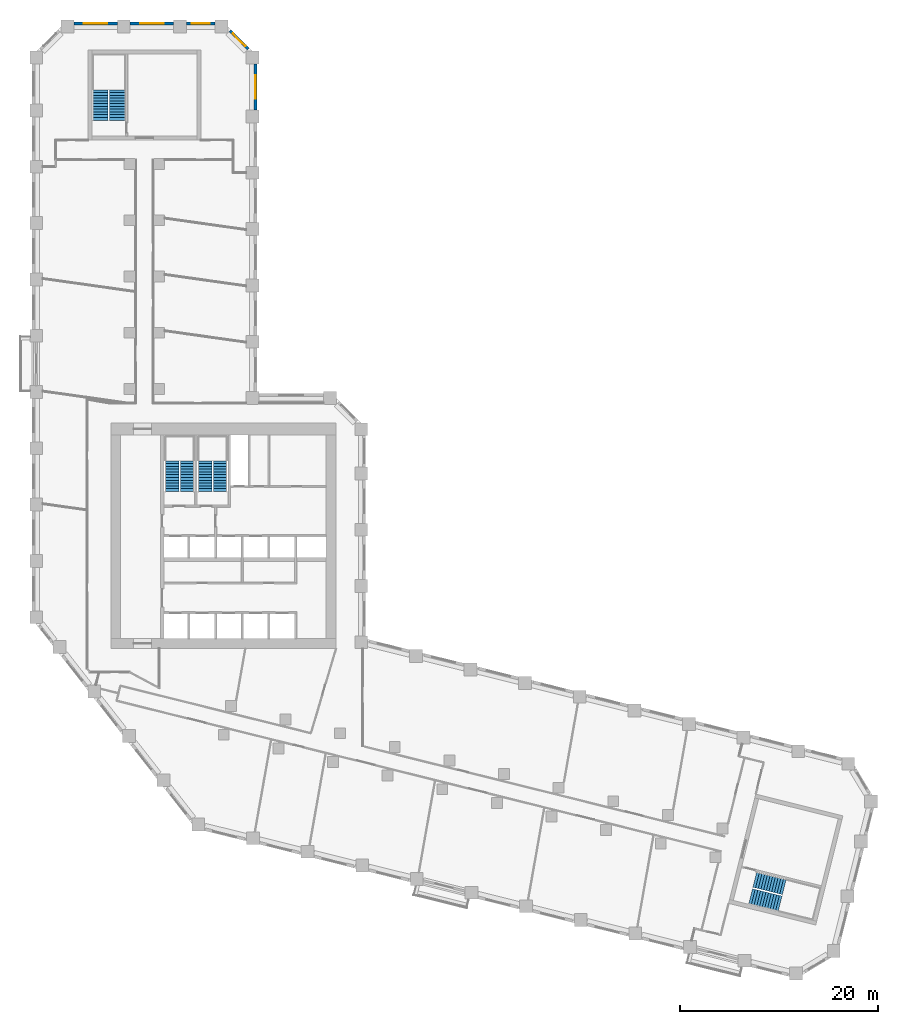
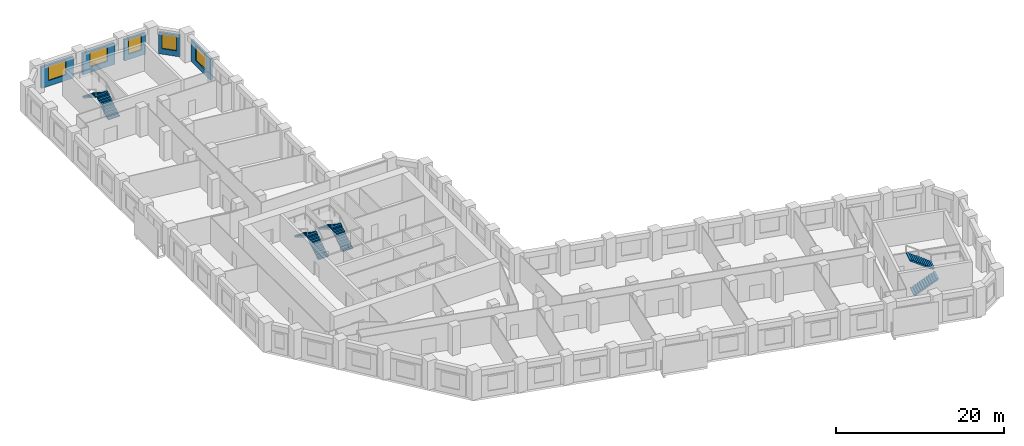
# One storey, part 9 of 10: 8 stair flights, 5 walls, 5 windows, 5 openings, 4 elements without a shape of their own.
"""IFC4 building model written with IfcOpenShell, lengths in metres."""

from ifc_helpers import new_model, si_unit, direction, frame, frame_2d, origin, place, context, subcontext, project, spatial, polyline, rectangle, outline, extrude, material, layer, layer_set, type_object, element, fill, aggregate, save


model = new_model("IFC4")

# Units and contexts
model_context = context("Model", 3, precision=1e-05, world=origin(), true_north=direction((0.0, 1.0)))
body_context = subcontext(model_context, "Body", "Model", "MODEL_VIEW")
ifc_project = project(units=[si_unit("LENGTHUNIT", "METRE"), si_unit("AREAUNIT", "SQUARE_METRE"), si_unit("VOLUMEUNIT", "CUBIC_METRE"), si_unit("PLANEANGLEUNIT", "RADIAN"), si_unit("MASSUNIT", "GRAM", prefix="KILO")], contexts=[model_context])

# Site, building, storey
site_placement = place(None, origin())
site = spatial("IfcSite", under=ifc_project, at=site_placement, CompositionType="ELEMENT")
building_placement = place(site_placement, origin())
building = spatial("IfcBuilding", under=site, at=building_placement, Name="Meshkara Civic Tower", CompositionType="ELEMENT")
storey_placement = place(building_placement, frame((0.0, 0.0, 118.199951171875)))
storey = spatial("IfcBuildingStorey", under=building, at=storey_placement, Name="L26", CompositionType="ELEMENT", Elevation=118.199951171875)

# Wall, opening, window
ifc_material_1 = material(Name="Insulated infill panel with bronze anodised aluminium cladding", Category="aluminium")
ifc_layer = layer(ifc_material_1, 0.300048828125)
ifc_layer_set = layer_set([ifc_layer], Name="EXTERNAL INFILL WALL 300")
wall_type = type_object("IfcWallType", Name="EXTERNAL INFILL WALL 300", PredefinedType="SOLIDWALL", material=ifc_layer_set)
wall_1_placement = place(storey_placement, frame((22.64990234375, 68.60009765625, 0.0), z_axis=(0.0, 0.0, 1.0), x_axis=(0.0, 1.0, 0.0)))
wall_1 = element("IfcWall", 1, at=wall_1_placement, inside=storey, type_object=wall_type, Name="External wall", PredefinedType="SOLIDWALL", context=body_context, shape_type="SweptSolid", body=[
    extrude(rectangle(XDim=4.663818359375, YDim=0.300048828125, at=frame_2d((2.33203125, 0.0))), origin(), (0.0, 0.0, 1.0), 3.10009765625),
])
opening_1_placement = place(wall_1_placement, frame((1.132080078125, 0.0, 0.800048828125)))
opening_1 = element("IfcOpeningElement", 2, at=opening_1_placement, cuts=wall_1, Name="Opening W7", PredefinedType="OPENING", context=body_context, shape_type="SweptSolid", body=[
    extrude(rectangle(XDim=2.39990234375, YDim=2.10009765625, at=frame_2d((1.199951171875, 1.050048828125))), frame((0.0, 0.159912109375, 0.0), z_axis=(0.0, -1.0, 0.0), x_axis=(1.0, 0.0, 0.0)), (0.0, 0.0, 1.0), 0.320068359375),
])
ifc_material_2 = material(Name="Tinted double glazing", Category="glass")
window_type_1 = type_object("IfcWindowType", Name="WINDOW 2400x2100", PartitioningType="DOUBLE_PANEL_VERTICAL", PredefinedType="WINDOW", material=ifc_material_2)
window_1_placement = place(opening_1_placement, origin())
window_1 = element("IfcWindow", 3, at=window_1_placement, inside=storey, type_object=window_type_1, Name="Window", OverallHeight=2.10009765625, OverallWidth=2.39990234375, PartitioningType="DOUBLE_PANEL_VERTICAL", PredefinedType="WINDOW", context=body_context, shape_type="SweptSolid", body=[
    extrude(rectangle(XDim=2.39990234375, YDim=2.10009765625, at=frame_2d((1.199951171875, 1.050048828125))), frame((0.0, 0.030029296875, 0.0), z_axis=(0.0, -1.0, 0.0), x_axis=(1.0, 0.0, 0.0)), (0.0, 0.0, 1.0), 0.06005859375),
])
fill(opening_1, window_1)

wall_2_placement = place(storey_placement, frame((21.912109375, 74.77587890625, 0.0), z_axis=(0.0, 0.0, 1.0), x_axis=(-0.707106781187, 0.707106781187, 0.0)))
wall_2 = element("IfcWall", 4, at=wall_2_placement, inside=storey, type_object=wall_type, Name="External wall", PredefinedType="SOLIDWALL", context=body_context, shape_type="SweptSolid", body=[
    extrude(rectangle(XDim=2.625, YDim=0.300048828125, at=frame_2d((1.3125, 0.0))), origin(), (0.0, 0.0, 1.0), 3.10009765625),
])
opening_2_placement = place(wall_2_placement, frame((0.412109375, 0.0, 0.800048828125)))
opening_2 = element("IfcOpeningElement", 5, at=opening_2_placement, cuts=wall_2, Name="Opening W9", PredefinedType="OPENING", context=body_context, shape_type="SweptSolid", body=[
    extrude(rectangle(XDim=1.800048828125, YDim=2.10009765625, at=frame_2d((0.89990234375, 1.050048828125))), frame((0.0, 0.159912109375, 0.0), z_axis=(0.0, -1.0, 0.0), x_axis=(1.0, 0.0, 0.0)), (0.0, 0.0, 1.0), 0.320068359375),
])
ifc_material_3 = material(Name="Tinted double glazing", Category="glass")
window_type_2 = type_object("IfcWindowType", Name="WINDOW 1800x2100", PartitioningType="DOUBLE_PANEL_VERTICAL", PredefinedType="WINDOW", material=ifc_material_3)
window_2_placement = place(opening_2_placement, origin())
window_2 = element("IfcWindow", 6, at=window_2_placement, inside=storey, type_object=window_type_2, Name="Window", OverallHeight=2.10009765625, OverallWidth=1.800048828125, PartitioningType="DOUBLE_PANEL_VERTICAL", PredefinedType="WINDOW", context=body_context, shape_type="SweptSolid", body=[
    extrude(rectangle(XDim=1.800048828125, YDim=2.10009765625, at=frame_2d((0.89990234375, 1.050048828125))), frame((0.0, 0.030029296875, 0.0), z_axis=(0.0, -1.0, 0.0), x_axis=(1.0, 0.0, 0.0)), (0.0, 0.0, 1.0), 0.06005859375),
])
fill(opening_2, window_2)

wall_3_placement = place(storey_placement, frame((18.5439453125, 77.3701171875, 0.0), z_axis=(0.0, 0.0, 1.0), x_axis=(-1.0, 0.0, 0.0)))
wall_3 = element("IfcWall", 7, at=wall_3_placement, inside=storey, type_object=wall_type, Name="External wall", PredefinedType="SOLIDWALL", context=body_context, shape_type="SweptSolid", body=[
    extrude(rectangle(XDim=2.887939453125, YDim=0.300048828125, at=frame_2d((1.44384765625, 0.0))), origin(), (0.0, 0.0, 1.0), 3.10009765625),
])
opening_3_placement = place(wall_3_placement, frame((0.5439453125, 0.0, 0.800048828125)))
opening_3 = element("IfcOpeningElement", 8, at=opening_3_placement, cuts=wall_3, Name="Opening W9", PredefinedType="OPENING", context=body_context, shape_type="SweptSolid", body=[
    extrude(rectangle(XDim=1.800048828125, YDim=2.10009765625, at=frame_2d((0.89990234375, 1.050048828125))), frame((0.0, 0.159912109375, 0.0), z_axis=(0.0, -1.0, 0.0), x_axis=(1.0, 0.0, 0.0)), (0.0, 0.0, 1.0), 0.320068359375),
])
window_3_placement = place(opening_3_placement, origin())
window_3 = element("IfcWindow", 9, at=window_3_placement, inside=storey, type_object=window_type_2, Name="Window", OverallHeight=2.10009765625, OverallWidth=1.800048828125, PartitioningType="DOUBLE_PANEL_VERTICAL", PredefinedType="WINDOW", context=body_context, shape_type="SweptSolid", body=[
    extrude(rectangle(XDim=1.800048828125, YDim=2.10009765625, at=frame_2d((0.89990234375, 1.050048828125))), frame((0.0, 0.030029296875, 0.0), z_axis=(0.0, -1.0, 0.0), x_axis=(1.0, 0.0, 0.0)), (0.0, 0.0, 1.0), 0.06005859375),
])
fill(opening_3, window_3)

wall_4_placement = place(storey_placement, frame((14.35595703125, 77.3701171875, 0.0), z_axis=(0.0, 0.0, 1.0), x_axis=(-1.0, 0.0, 0.0)))
wall_4 = element("IfcWall", 10, at=wall_4_placement, inside=storey, type_object=wall_type, Name="External wall", PredefinedType="SOLIDWALL", context=body_context, shape_type="SweptSolid", body=[
    extrude(rectangle(XDim=4.39990234375, YDim=0.300048828125, at=frame_2d((2.199951171875, 0.0))), origin(), (0.0, 0.0, 1.0), 3.10009765625),
])
opening_4_placement = place(wall_4_placement, frame((1.0, 0.0, 0.800048828125)))
opening_4 = element("IfcOpeningElement", 11, at=opening_4_placement, cuts=wall_4, Name="Opening W7", PredefinedType="OPENING", context=body_context, shape_type="SweptSolid", body=[
    extrude(rectangle(XDim=2.39990234375, YDim=2.10009765625, at=frame_2d((1.199951171875, 1.050048828125))), frame((0.0, 0.159912109375, 0.0), z_axis=(0.0, -1.0, 0.0), x_axis=(1.0, 0.0, 0.0)), (0.0, 0.0, 1.0), 0.320068359375),
])
window_4_placement = place(opening_4_placement, origin())
window_4 = element("IfcWindow", 12, at=window_4_placement, inside=storey, type_object=window_type_1, Name="Window", OverallHeight=2.10009765625, OverallWidth=2.39990234375, PartitioningType="DOUBLE_PANEL_VERTICAL", PredefinedType="WINDOW", context=body_context, shape_type="SweptSolid", body=[
    extrude(rectangle(XDim=2.39990234375, YDim=2.10009765625, at=frame_2d((1.199951171875, 1.050048828125))), frame((0.0, 0.030029296875, 0.0), z_axis=(0.0, -1.0, 0.0), x_axis=(1.0, 0.0, 0.0)), (0.0, 0.0, 1.0), 0.06005859375),
])
fill(opening_4, window_4)

wall_5_placement = place(storey_placement, frame((8.656005859375, 77.3701171875, 0.0), z_axis=(0.0, 0.0, 1.0), x_axis=(-1.0, 0.0, 0.0)))
wall_5 = element("IfcWall", 13, at=wall_5_placement, inside=storey, type_object=wall_type, Name="External wall", PredefinedType="SOLIDWALL", context=body_context, shape_type="SweptSolid", body=[
    extrude(rectangle(XDim=4.39990234375, YDim=0.300048828125, at=frame_2d((2.199951171875, 0.0))), origin(), (0.0, 0.0, 1.0), 3.10009765625),
])
opening_5_placement = place(wall_5_placement, frame((1.0, 0.0, 0.800048828125)))
opening_5 = element("IfcOpeningElement", 14, at=opening_5_placement, cuts=wall_5, Name="Opening W7", PredefinedType="OPENING", context=body_context, shape_type="SweptSolid", body=[
    extrude(rectangle(XDim=2.39990234375, YDim=2.10009765625, at=frame_2d((1.199951171875, 1.050048828125))), frame((0.0, 0.159912109375, 0.0), z_axis=(0.0, -1.0, 0.0), x_axis=(1.0, 0.0, 0.0)), (0.0, 0.0, 1.0), 0.320068359375),
])
window_5_placement = place(opening_5_placement, origin())
window_5 = element("IfcWindow", 15, at=window_5_placement, inside=storey, type_object=window_type_1, Name="Window", OverallHeight=2.10009765625, OverallWidth=2.39990234375, PartitioningType="DOUBLE_PANEL_VERTICAL", PredefinedType="WINDOW", context=body_context, shape_type="SweptSolid", body=[
    extrude(rectangle(XDim=2.39990234375, YDim=2.10009765625, at=frame_2d((1.199951171875, 1.050048828125))), frame((0.0, 0.030029296875, 0.0), z_axis=(0.0, -1.0, 0.0), x_axis=(1.0, 0.0, 0.0)), (0.0, 0.0, 1.0), 0.06005859375),
])
fill(opening_5, window_5)

# Stair, stair flights
ifc_material_4 = material(Name="Precast concrete C40/50", Category="concrete")
stair_type_1 = type_object("IfcStairType", Name="Exit stair half-turn 24 risers 1600 precast", PredefinedType="HALF_TURN_STAIR", material=ifc_material_4)
stair_1_placement = place(storey_placement, origin())
stair_1 = element("IfcStair", 16, at=stair_1_placement, inside=storey, type_object=stair_type_1, Name="L26 exit stair A from L20", PredefinedType="HALF_TURN_STAIR")
ifc_material_5 = material(Name="Precast concrete C40/50", Category="concrete")
stair_flight_type_1 = type_object("IfcStairFlightType", Name="Exit stair flight 12 risers 1600 precast", PredefinedType="STRAIGHT", material=ifc_material_5)
stair_flight_1_placement = place(storey_placement, frame((8.675048828125, 67.570068359375, 0.0), z_axis=(0.0, 0.0, 1.0), x_axis=(0.0, 1.0, 0.0)))
stair_flight_1 = element("IfcStairFlight", 17, at=stair_flight_1_placement, type_object=stair_flight_type_1, Name="ESA2 flight 1", NumberOfRisers=12, NumberOfTreads=11, PredefinedType="STRAIGHT", RiserHeight=0.175, TreadLength=0.28, context=body_context, shape_type="SweptSolid", body=[
    extrude(outline(polyline([(0.0, 0.0), (0.0, 0.175048828125), (0.280029296875, 0.175048828125), (0.280029296875, 0.35009765625), (0.56005859375, 0.35009765625), (0.56005859375, 0.52490234375), (0.840087890625, 0.52490234375), (0.840087890625, 0.699951171875), (1.1201171875, 0.699951171875), (1.1201171875, 0.875), (1.39990234375, 0.875), (1.39990234375, 1.050048828125), (1.679931640625, 1.050048828125), (1.679931640625, 1.22509765625), (1.9599609375, 1.22509765625), (1.9599609375, 1.39990234375), (2.239990234375, 1.39990234375), (2.239990234375, 1.574951171875), (2.52001953125, 1.574951171875), (2.52001953125, 1.75), (2.800048828125, 1.75), (2.800048828125, 1.925048828125), (3.080078125, 1.925048828125), (3.080078125, 2.10009765625), (3.080078125, 1.748291015625), (0.28271484375, 0.0), (0.0, 0.0)])), frame((0.0, 0.800048828125, 0.0), z_axis=(0.0, -1.0, 0.0), x_axis=(1.0, 0.0, 0.0)), (0.0, 0.0, 1.0), 1.60009765625),
])
stair_flight_2_placement = place(storey_placement, frame((6.925048828125, 70.64990234375, 2.10009765625), z_axis=(0.0, 0.0, 1.0), x_axis=(0.0, -1.0, 0.0)))
stair_flight_2 = element("IfcStairFlight", 18, at=stair_flight_2_placement, type_object=stair_flight_type_1, Name="ESA2 flight 2", NumberOfRisers=12, NumberOfTreads=11, PredefinedType="STRAIGHT", RiserHeight=0.175, TreadLength=0.28, context=body_context, shape_type="SweptSolid", body=[
    extrude(outline(polyline([(0.0, 0.0), (0.0, 0.175048828125), (0.280029296875, 0.175048828125), (0.280029296875, 0.35009765625), (0.56005859375, 0.35009765625), (0.56005859375, 0.52490234375), (0.840087890625, 0.52490234375), (0.840087890625, 0.699951171875), (1.1201171875, 0.699951171875), (1.1201171875, 0.875), (1.39990234375, 0.875), (1.39990234375, 1.050048828125), (1.679931640625, 1.050048828125), (1.679931640625, 1.22509765625), (1.9599609375, 1.22509765625), (1.9599609375, 1.39990234375), (2.239990234375, 1.39990234375), (2.239990234375, 1.574951171875), (2.52001953125, 1.574951171875), (2.52001953125, 1.75), (2.800048828125, 1.75), (2.800048828125, 1.925048828125), (3.080078125, 1.925048828125), (3.080078125, 2.10009765625), (3.080078125, 1.748291015625), (0.28271484375, 0.0), (0.0, 0.0)])), frame((0.0, 0.800048828125, 0.0), z_axis=(0.0, -1.0, 0.0), x_axis=(1.0, 0.0, 0.0)), (0.0, 0.0, 1.0), 1.60009765625),
])
aggregate(stair_1, [stair_flight_1, stair_flight_2])

stair_2_placement = place(storey_placement, origin())
stair_2 = element("IfcStair", 19, at=stair_2_placement, inside=storey, type_object=stair_type_1, Name="L26 exit stair B from L20", PredefinedType="HALF_TURN_STAIR")
stair_flight_3_placement = place(storey_placement, frame((72.7685546875, -11.00634765625, 0.0), z_axis=(0.0, 0.0, 1.0), x_axis=(0.970260066579, -0.242064873955, 0.0)))
stair_flight_3 = element("IfcStairFlight", 20, at=stair_flight_3_placement, type_object=stair_flight_type_1, Name="ESB2 flight 1", NumberOfRisers=12, NumberOfTreads=11, PredefinedType="STRAIGHT", RiserHeight=0.175, TreadLength=0.28, context=body_context, shape_type="SweptSolid", body=[
    extrude(outline(polyline([(0.0, 0.0), (0.0, 0.175048828125), (0.280029296875, 0.175048828125), (0.280029296875, 0.35009765625), (0.56005859375, 0.35009765625), (0.56005859375, 0.52490234375), (0.840087890625, 0.52490234375), (0.840087890625, 0.699951171875), (1.1201171875, 0.699951171875), (1.1201171875, 0.875), (1.39990234375, 0.875), (1.39990234375, 1.050048828125), (1.679931640625, 1.050048828125), (1.679931640625, 1.22509765625), (1.9599609375, 1.22509765625), (1.9599609375, 1.39990234375), (2.239990234375, 1.39990234375), (2.239990234375, 1.574951171875), (2.52001953125, 1.574951171875), (2.52001953125, 1.75), (2.800048828125, 1.75), (2.800048828125, 1.925048828125), (3.080078125, 1.925048828125), (3.080078125, 2.10009765625), (3.080078125, 1.748291015625), (0.28271484375, 0.0), (0.0, 0.0)])), frame((0.0, 0.800048828125, 0.0), z_axis=(0.0, -1.0, 0.0), x_axis=(1.0, 0.0, 0.0)), (0.0, 0.0, 1.0), 1.60009765625),
])
stair_flight_4_placement = place(storey_placement, frame((76.1806640625, -10.053955078125, 2.10009765625), z_axis=(0.0, 0.0, 1.0), x_axis=(-0.970260066579, 0.242064873955, 0.0)))
stair_flight_4 = element("IfcStairFlight", 21, at=stair_flight_4_placement, type_object=stair_flight_type_1, Name="ESB2 flight 2", NumberOfRisers=12, NumberOfTreads=11, PredefinedType="STRAIGHT", RiserHeight=0.175, TreadLength=0.28, context=body_context, shape_type="SweptSolid", body=[
    extrude(outline(polyline([(0.0, 0.0), (0.0, 0.175048828125), (0.280029296875, 0.175048828125), (0.280029296875, 0.35009765625), (0.56005859375, 0.35009765625), (0.56005859375, 0.52490234375), (0.840087890625, 0.52490234375), (0.840087890625, 0.699951171875), (1.1201171875, 0.699951171875), (1.1201171875, 0.875), (1.39990234375, 0.875), (1.39990234375, 1.050048828125), (1.679931640625, 1.050048828125), (1.679931640625, 1.22509765625), (1.9599609375, 1.22509765625), (1.9599609375, 1.39990234375), (2.239990234375, 1.39990234375), (2.239990234375, 1.574951171875), (2.52001953125, 1.574951171875), (2.52001953125, 1.75), (2.800048828125, 1.75), (2.800048828125, 1.925048828125), (3.080078125, 1.925048828125), (3.080078125, 2.10009765625), (3.080078125, 1.748291015625), (0.28271484375, 0.0), (0.0, 0.0)])), frame((0.0, 0.800048828125, 0.0), z_axis=(0.0, -1.0, 0.0), x_axis=(1.0, 0.0, 0.0)), (0.0, 0.0, 1.0), 1.60009765625),
])
aggregate(stair_2, [stair_flight_3, stair_flight_4])

ifc_material_6 = material(Name="Precast concrete C40/50", Category="concrete")
stair_type_2 = type_object("IfcStairType", Name="Exit stair half-turn 24 risers precast", PredefinedType="HALF_TURN_STAIR", material=ifc_material_6)
stair_3_placement = place(storey_placement, origin())
stair_3 = element("IfcStair", 22, at=stair_3_placement, inside=storey, type_object=stair_type_2, Name="L26 exit stair 1", PredefinedType="HALF_TURN_STAIR")
ifc_material_7 = material(Name="Precast concrete C40/50", Category="concrete")
stair_flight_type_2 = type_object("IfcStairFlightType", Name="Exit stair flight 12 risers precast", PredefinedType="STRAIGHT", material=ifc_material_7)
stair_flight_5_placement = place(storey_placement, frame((15.72509765625, 30.0, 0.0), z_axis=(0.0, 0.0, 1.0), x_axis=(0.0, 1.0, 0.0)))
stair_flight_5 = element("IfcStairFlight", 23, at=stair_flight_5_placement, type_object=stair_flight_type_2, Name="ST1 flight 1", NumberOfRisers=12, NumberOfTreads=11, PredefinedType="STRAIGHT", RiserHeight=0.175, TreadLength=0.28, context=body_context, shape_type="SweptSolid", body=[
    extrude(outline(polyline([(0.0, 0.0), (0.0, 0.175048828125), (0.280029296875, 0.175048828125), (0.280029296875, 0.35009765625), (0.56005859375, 0.35009765625), (0.56005859375, 0.52490234375), (0.840087890625, 0.52490234375), (0.840087890625, 0.699951171875), (1.1201171875, 0.699951171875), (1.1201171875, 0.875), (1.39990234375, 0.875), (1.39990234375, 1.050048828125), (1.679931640625, 1.050048828125), (1.679931640625, 1.22509765625), (1.9599609375, 1.22509765625), (1.9599609375, 1.39990234375), (2.239990234375, 1.39990234375), (2.239990234375, 1.574951171875), (2.52001953125, 1.574951171875), (2.52001953125, 1.75), (2.800048828125, 1.75), (2.800048828125, 1.925048828125), (3.080078125, 1.925048828125), (3.080078125, 2.10009765625), (3.080078125, 1.748291015625), (0.28271484375, 0.0), (0.0, 0.0)])), frame((0.0, 0.699951171875, 0.0), z_axis=(0.0, -1.0, 0.0), x_axis=(1.0, 0.0, 0.0)), (0.0, 0.0, 1.0), 1.39990234375),
])
stair_flight_6_placement = place(storey_placement, frame((14.175048828125, 33.080078125, 2.10009765625), z_axis=(0.0, 0.0, 1.0), x_axis=(0.0, -1.0, 0.0)))
stair_flight_6 = element("IfcStairFlight", 24, at=stair_flight_6_placement, type_object=stair_flight_type_2, Name="ST1 flight 2", NumberOfRisers=12, NumberOfTreads=11, PredefinedType="STRAIGHT", RiserHeight=0.175, TreadLength=0.28, context=body_context, shape_type="SweptSolid", body=[
    extrude(outline(polyline([(0.0, 0.0), (0.0, 0.175048828125), (0.280029296875, 0.175048828125), (0.280029296875, 0.35009765625), (0.56005859375, 0.35009765625), (0.56005859375, 0.52490234375), (0.840087890625, 0.52490234375), (0.840087890625, 0.699951171875), (1.1201171875, 0.699951171875), (1.1201171875, 0.875), (1.39990234375, 0.875), (1.39990234375, 1.050048828125), (1.679931640625, 1.050048828125), (1.679931640625, 1.22509765625), (1.9599609375, 1.22509765625), (1.9599609375, 1.39990234375), (2.239990234375, 1.39990234375), (2.239990234375, 1.574951171875), (2.52001953125, 1.574951171875), (2.52001953125, 1.75), (2.800048828125, 1.75), (2.800048828125, 1.925048828125), (3.080078125, 1.925048828125), (3.080078125, 2.10009765625), (3.080078125, 1.748291015625), (0.28271484375, 0.0), (0.0, 0.0)])), frame((0.0, 0.699951171875, 0.0), z_axis=(0.0, -1.0, 0.0), x_axis=(1.0, 0.0, 0.0)), (0.0, 0.0, 1.0), 1.39990234375),
])
aggregate(stair_3, [stair_flight_5, stair_flight_6])

stair_4_placement = place(storey_placement, origin())
stair_4 = element("IfcStair", 25, at=stair_4_placement, inside=storey, type_object=stair_type_2, Name="L26 exit stair 2", PredefinedType="HALF_TURN_STAIR")
stair_flight_7_placement = place(storey_placement, frame((19.074951171875, 30.0, 0.0), z_axis=(0.0, 0.0, 1.0), x_axis=(0.0, 1.0, 0.0)))
stair_flight_7 = element("IfcStairFlight", 26, at=stair_flight_7_placement, type_object=stair_flight_type_2, Name="ST2 flight 1", NumberOfRisers=12, NumberOfTreads=11, PredefinedType="STRAIGHT", RiserHeight=0.175, TreadLength=0.28, context=body_context, shape_type="SweptSolid", body=[
    extrude(outline(polyline([(0.0, 0.0), (0.0, 0.175048828125), (0.280029296875, 0.175048828125), (0.280029296875, 0.35009765625), (0.56005859375, 0.35009765625), (0.56005859375, 0.52490234375), (0.840087890625, 0.52490234375), (0.840087890625, 0.699951171875), (1.1201171875, 0.699951171875), (1.1201171875, 0.875), (1.39990234375, 0.875), (1.39990234375, 1.050048828125), (1.679931640625, 1.050048828125), (1.679931640625, 1.22509765625), (1.9599609375, 1.22509765625), (1.9599609375, 1.39990234375), (2.239990234375, 1.39990234375), (2.239990234375, 1.574951171875), (2.52001953125, 1.574951171875), (2.52001953125, 1.75), (2.800048828125, 1.75), (2.800048828125, 1.925048828125), (3.080078125, 1.925048828125), (3.080078125, 2.10009765625), (3.080078125, 1.748291015625), (0.28271484375, 0.0), (0.0, 0.0)])), frame((0.0, 0.699951171875, 0.0), z_axis=(0.0, -1.0, 0.0), x_axis=(1.0, 0.0, 0.0)), (0.0, 0.0, 1.0), 1.39990234375),
])
stair_flight_8_placement = place(storey_placement, frame((17.52490234375, 33.080078125, 2.10009765625), z_axis=(0.0, 0.0, 1.0), x_axis=(0.0, -1.0, 0.0)))
stair_flight_8 = element("IfcStairFlight", 27, at=stair_flight_8_placement, type_object=stair_flight_type_2, Name="ST2 flight 2", NumberOfRisers=12, NumberOfTreads=11, PredefinedType="STRAIGHT", RiserHeight=0.175, TreadLength=0.28, context=body_context, shape_type="SweptSolid", body=[
    extrude(outline(polyline([(0.0, 0.0), (0.0, 0.175048828125), (0.280029296875, 0.175048828125), (0.280029296875, 0.35009765625), (0.56005859375, 0.35009765625), (0.56005859375, 0.52490234375), (0.840087890625, 0.52490234375), (0.840087890625, 0.699951171875), (1.1201171875, 0.699951171875), (1.1201171875, 0.875), (1.39990234375, 0.875), (1.39990234375, 1.050048828125), (1.679931640625, 1.050048828125), (1.679931640625, 1.22509765625), (1.9599609375, 1.22509765625), (1.9599609375, 1.39990234375), (2.239990234375, 1.39990234375), (2.239990234375, 1.574951171875), (2.52001953125, 1.574951171875), (2.52001953125, 1.75), (2.800048828125, 1.75), (2.800048828125, 1.925048828125), (3.080078125, 1.925048828125), (3.080078125, 2.10009765625), (3.080078125, 1.748291015625), (0.28271484375, 0.0), (0.0, 0.0)])), frame((0.0, 0.699951171875, 0.0), z_axis=(0.0, -1.0, 0.0), x_axis=(1.0, 0.0, 0.0)), (0.0, 0.0, 1.0), 1.39990234375),
])
aggregate(stair_4, [stair_flight_7, stair_flight_8])

save(model, "model.ifc")
